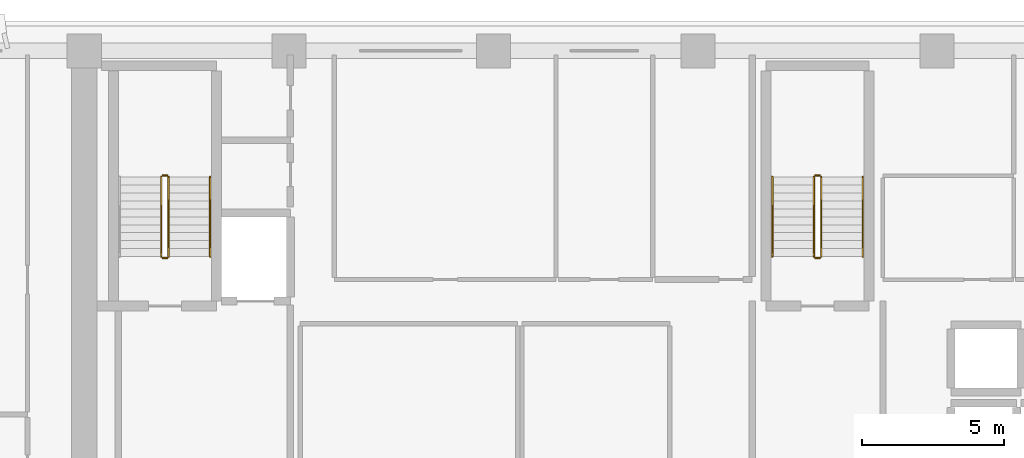
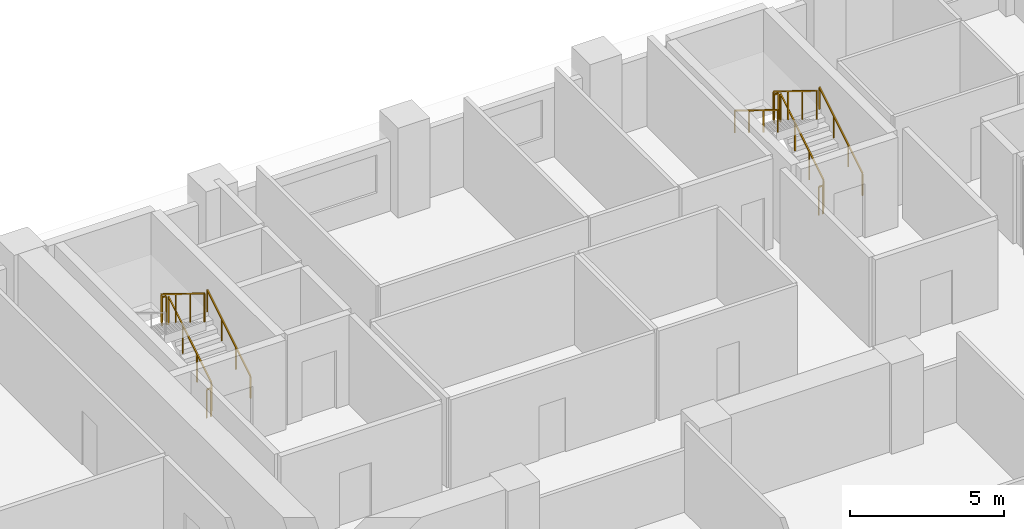
# One storey, part 12 of 14: 11 railings.
"""IFC4 building model written with IfcOpenShell, lengths in metres."""

from ifc_helpers import new_model, si_unit, direction, frame, origin, origin_2d, place, context, subcontext, project, spatial, rectangle, extrude, material, type_object, element, save


model = new_model("IFC4")

# Units and contexts
model_context = context("Model", 3, precision=1e-05, world=origin(), true_north=direction((0.0, 1.0)))
body_context = subcontext(model_context, "Body", "Model", "MODEL_VIEW")
ifc_project = project(units=[si_unit("LENGTHUNIT", "METRE"), si_unit("AREAUNIT", "SQUARE_METRE"), si_unit("VOLUMEUNIT", "CUBIC_METRE"), si_unit("PLANEANGLEUNIT", "RADIAN"), si_unit("MASSUNIT", "GRAM", prefix="KILO")], contexts=[model_context])

# Site, building, storey
site_placement = place(None, origin())
site = spatial("IfcSite", under=ifc_project, at=site_placement, CompositionType="ELEMENT")
building_placement = place(site_placement, origin())
building = spatial("IfcBuilding", under=site, at=building_placement, Name="Kaelvorn Grand Hotel", CompositionType="ELEMENT")
storey_placement = place(building_placement, frame((0.0, 0.0, 165.75)))
storey = spatial("IfcBuildingStorey", under=building, at=storey_placement, Name="L40", CompositionType="ELEMENT", Elevation=165.75)

# Railings
ifc_material = material(Name="Stainless Steel", Category="steel")
railing_type_1 = type_object("IfcRailingType", Name="RL-HANDRAIL-900", PredefinedType="HANDRAIL", material=ifc_material)
for number, where, name in (
    (1, (20.6298828125, 41.760009765625, 0.172607421875), "L40 ST1 stair handrail 1"),
    (2, (43.590087890625, 41.760009765625, 0.172607421875), "L40 ST2 stair handrail 1"),
):
    element("IfcRailing", number, at=place(storey_placement, frame(where)), inside=storey, type_object=railing_type_1, Name=name, PredefinedType="HANDRAIL", context=body_context, shape_type="SweptSolid", body=[
        extrude(rectangle(XDim=0.048095703125, YDim=0.048095703125, at=origin_2d()), frame((0.0, 0.0, 0.8759765625), z_axis=(0.0, 0.851089632645, 0.525020415988), x_axis=(-1.0, 0.0, 0.0)), (0.0, 0.0, 1.0), 3.2900390625),
        extrude(rectangle(XDim=0.0419921875, YDim=0.0419921875, at=origin_2d()), origin(), (0.0, 0.0, 1.0), 0.851806640625),
        extrude(rectangle(XDim=0.0419921875, YDim=0.0419921875, at=origin_2d()), frame((0.0, 0.933349609375, 0.57568359375)), (0.0, 0.0, 1.0), 0.851806640625),
        extrude(rectangle(XDim=0.0419921875, YDim=0.0419921875, at=origin_2d()), frame((0.0, 1.86669921875, 1.151611328125)), (0.0, 0.0, 1.0), 0.851806640625),
        extrude(rectangle(XDim=0.0419921875, YDim=0.0419921875, at=origin_2d()), frame((0.0, 2.800048828125, 1.727294921875)), (0.0, 0.0, 1.0), 0.851806640625),
    ])
railing_1_placement = place(storey_placement, frame((40.409912109375, 44.56005859375, 2.07275390625)))
element("IfcRailing", 3, at=railing_1_placement, inside=storey, type_object=railing_type_1, Name="L40 ST2 stair handrail 2", PredefinedType="HANDRAIL", context=body_context, shape_type="SweptSolid", body=[
    extrude(rectangle(XDim=0.048095703125, YDim=0.048095703125, at=origin_2d()), frame((0.0, 0.0, 0.8759765625), z_axis=(0.0, -0.851089632645, 0.525020415988), x_axis=(1.0, 0.0, 0.0)), (0.0, 0.0, 1.0), 3.2900390625),
    extrude(rectangle(XDim=0.0419921875, YDim=0.0419921875, at=origin_2d()), origin(), (0.0, 0.0, 1.0), 0.851806640625),
    extrude(rectangle(XDim=0.0419921875, YDim=0.0419921875, at=origin_2d()), frame((0.0, -0.933349609375, 0.57568359375)), (0.0, 0.0, 1.0), 0.851806640625),
    extrude(rectangle(XDim=0.0419921875, YDim=0.0419921875, at=origin_2d()), frame((0.0, -1.86669921875, 1.151611328125)), (0.0, 0.0, 1.0), 0.851806640625),
    extrude(rectangle(XDim=0.0419921875, YDim=0.0419921875, at=origin_2d()), frame((0.0, -2.800048828125, 1.727294921875)), (0.0, 0.0, 1.0), 0.851806640625),
])
railing_type_2 = type_object("IfcRailingType", Name="RL-STAIR-GUARD-1150", PredefinedType="BALUSTRADE", material=ifc_material)
railing_2_placement = place(storey_placement, frame((19.169921875, 41.760009765625, 0.172607421875)))
element("IfcRailing", 4, at=railing_2_placement, inside=storey, type_object=railing_type_2, Name="L40 ST1 stair guard 1", PredefinedType="BALUSTRADE", context=body_context, shape_type="SweptSolid", body=[
    extrude(rectangle(XDim=0.048095703125, YDim=0.048095703125, at=origin_2d()), frame((0.0, 0.0, 1.1259765625), z_axis=(0.0, 0.851089632645, 0.525020415988), x_axis=(-1.0, 0.0, 0.0)), (0.0, 0.0, 1.0), 3.2900390625),
    extrude(rectangle(XDim=0.0419921875, YDim=0.0419921875, at=origin_2d()), origin(), (0.0, 0.0, 1.0), 1.101806640625),
    extrude(rectangle(XDim=0.0419921875, YDim=0.0419921875, at=origin_2d()), frame((0.0, 0.933349609375, 0.57568359375)), (0.0, 0.0, 1.0), 1.101806640625),
    extrude(rectangle(XDim=0.0419921875, YDim=0.0419921875, at=origin_2d()), frame((0.0, 1.86669921875, 1.151611328125)), (0.0, 0.0, 1.0), 1.101806640625),
    extrude(rectangle(XDim=0.0419921875, YDim=0.0419921875, at=origin_2d()), frame((0.0, 2.800048828125, 1.727294921875)), (0.0, 0.0, 1.0), 1.101806640625),
])
railing_3_placement = place(storey_placement, frame((19.1201171875, 44.610107421875, 1.89990234375)))
element("IfcRailing", 5, at=railing_3_placement, inside=storey, type_object=railing_type_2, Name="L40 ST1 stair guard 2", PredefinedType="BALUSTRADE", context=body_context, shape_type="SweptSolid", body=[
    extrude(rectangle(XDim=0.048095703125, YDim=0.048095703125, at=origin_2d()), frame((0.0, 0.0, 1.1259765625), z_axis=(-1.0, 0.0, 0.0), x_axis=(0.0, -1.0, 0.0)), (0.0, 0.0, 1.0), 0.16015625),
    extrude(rectangle(XDim=0.0419921875, YDim=0.0419921875, at=origin_2d()), origin(), (0.0, 0.0, 1.0), 1.101806640625),
    extrude(rectangle(XDim=0.0419921875, YDim=0.0419921875, at=origin_2d()), frame((-0.16015625, 0.0, 0.0)), (0.0, 0.0, 1.0), 1.101806640625),
])
railing_4_placement = place(storey_placement, frame((18.909912109375, 44.56005859375, 2.07275390625)))
element("IfcRailing", 6, at=railing_4_placement, inside=storey, type_object=railing_type_2, Name="L40 ST1 stair guard 3", PredefinedType="BALUSTRADE", context=body_context, shape_type="SweptSolid", body=[
    extrude(rectangle(XDim=0.048095703125, YDim=0.048095703125, at=origin_2d()), frame((0.0, 0.0, 1.1259765625), z_axis=(0.0, -0.851089632645, 0.525020415988), x_axis=(1.0, 0.0, 0.0)), (0.0, 0.0, 1.0), 3.2900390625),
    extrude(rectangle(XDim=0.0419921875, YDim=0.0419921875, at=origin_2d()), origin(), (0.0, 0.0, 1.0), 1.101806640625),
    extrude(rectangle(XDim=0.0419921875, YDim=0.0419921875, at=origin_2d()), frame((0.0, -0.933349609375, 0.57568359375)), (0.0, 0.0, 1.0), 1.101806640625),
    extrude(rectangle(XDim=0.0419921875, YDim=0.0419921875, at=origin_2d()), frame((0.0, -1.86669921875, 1.151611328125)), (0.0, 0.0, 1.0), 1.101806640625),
    extrude(rectangle(XDim=0.0419921875, YDim=0.0419921875, at=origin_2d()), frame((0.0, -2.800048828125, 1.727294921875)), (0.0, 0.0, 1.0), 1.101806640625),
])
railing_5_placement = place(storey_placement, frame((19.1201171875, 41.7099609375, 0.0)))
element("IfcRailing", 7, at=railing_5_placement, inside=storey, type_object=railing_type_2, Name="L40 ST1 stair guard 4", PredefinedType="BALUSTRADE", context=body_context, shape_type="SweptSolid", body=[
    extrude(rectangle(XDim=0.048095703125, YDim=0.048095703125, at=origin_2d()), frame((0.0, 0.0, 1.1259765625), z_axis=(-1.0, 0.0, 0.0), x_axis=(0.0, -1.0, 0.0)), (0.0, 0.0, 1.0), 0.16015625),
    extrude(rectangle(XDim=0.0419921875, YDim=0.0419921875, at=origin_2d()), origin(), (0.0, 0.0, 1.0), 1.101806640625),
    extrude(rectangle(XDim=0.0419921875, YDim=0.0419921875, at=origin_2d()), frame((-0.16015625, 0.0, 0.0)), (0.0, 0.0, 1.0), 1.101806640625),
])
railing_6_placement = place(storey_placement, frame((42.1298828125, 41.760009765625, 0.172607421875)))
element("IfcRailing", 8, at=railing_6_placement, inside=storey, type_object=railing_type_2, Name="L40 ST2 stair guard 1", PredefinedType="BALUSTRADE", context=body_context, shape_type="SweptSolid", body=[
    extrude(rectangle(XDim=0.048095703125, YDim=0.048095703125, at=origin_2d()), frame((0.0, 0.0, 1.1259765625), z_axis=(0.0, 0.851089632645, 0.525020415988), x_axis=(-1.0, 0.0, 0.0)), (0.0, 0.0, 1.0), 3.2900390625),
    extrude(rectangle(XDim=0.0419921875, YDim=0.0419921875, at=origin_2d()), origin(), (0.0, 0.0, 1.0), 1.101806640625),
    extrude(rectangle(XDim=0.0419921875, YDim=0.0419921875, at=origin_2d()), frame((0.0, 0.933349609375, 0.57568359375)), (0.0, 0.0, 1.0), 1.101806640625),
    extrude(rectangle(XDim=0.0419921875, YDim=0.0419921875, at=origin_2d()), frame((0.0, 1.86669921875, 1.151611328125)), (0.0, 0.0, 1.0), 1.101806640625),
    extrude(rectangle(XDim=0.0419921875, YDim=0.0419921875, at=origin_2d()), frame((0.0, 2.800048828125, 1.727294921875)), (0.0, 0.0, 1.0), 1.101806640625),
])
railing_7_placement = place(storey_placement, frame((42.080078125, 44.610107421875, 1.89990234375)))
element("IfcRailing", 9, at=railing_7_placement, inside=storey, type_object=railing_type_2, Name="L40 ST2 stair guard 2", PredefinedType="BALUSTRADE", context=body_context, shape_type="SweptSolid", body=[
    extrude(rectangle(XDim=0.048095703125, YDim=0.048095703125, at=origin_2d()), frame((0.0, 0.0, 1.1259765625), z_axis=(-1.0, 0.0, 0.0), x_axis=(0.0, -1.0, 0.0)), (0.0, 0.0, 1.0), 0.16015625),
    extrude(rectangle(XDim=0.0419921875, YDim=0.0419921875, at=origin_2d()), origin(), (0.0, 0.0, 1.0), 1.101806640625),
    extrude(rectangle(XDim=0.0419921875, YDim=0.0419921875, at=origin_2d()), frame((-0.16015625, 0.0, 0.0)), (0.0, 0.0, 1.0), 1.101806640625),
])
railing_8_placement = place(storey_placement, frame((41.8701171875, 44.56005859375, 2.07275390625)))
element("IfcRailing", 10, at=railing_8_placement, inside=storey, type_object=railing_type_2, Name="L40 ST2 stair guard 3", PredefinedType="BALUSTRADE", context=body_context, shape_type="SweptSolid", body=[
    extrude(rectangle(XDim=0.048095703125, YDim=0.048095703125, at=origin_2d()), frame((0.0, 0.0, 1.1259765625), z_axis=(0.0, -0.851089632645, 0.525020415988), x_axis=(1.0, 0.0, 0.0)), (0.0, 0.0, 1.0), 3.2900390625),
    extrude(rectangle(XDim=0.0419921875, YDim=0.0419921875, at=origin_2d()), origin(), (0.0, 0.0, 1.0), 1.101806640625),
    extrude(rectangle(XDim=0.0419921875, YDim=0.0419921875, at=origin_2d()), frame((0.0, -0.933349609375, 0.57568359375)), (0.0, 0.0, 1.0), 1.101806640625),
    extrude(rectangle(XDim=0.0419921875, YDim=0.0419921875, at=origin_2d()), frame((0.0, -1.86669921875, 1.151611328125)), (0.0, 0.0, 1.0), 1.101806640625),
    extrude(rectangle(XDim=0.0419921875, YDim=0.0419921875, at=origin_2d()), frame((0.0, -2.800048828125, 1.727294921875)), (0.0, 0.0, 1.0), 1.101806640625),
])
railing_9_placement = place(storey_placement, frame((42.080078125, 41.7099609375, 0.0)))
element("IfcRailing", 11, at=railing_9_placement, inside=storey, type_object=railing_type_2, Name="L40 ST2 stair guard 4", PredefinedType="BALUSTRADE", context=body_context, shape_type="SweptSolid", body=[
    extrude(rectangle(XDim=0.048095703125, YDim=0.048095703125, at=origin_2d()), frame((0.0, 0.0, 1.1259765625), z_axis=(-1.0, 0.0, 0.0), x_axis=(0.0, -1.0, 0.0)), (0.0, 0.0, 1.0), 0.16015625),
    extrude(rectangle(XDim=0.0419921875, YDim=0.0419921875, at=origin_2d()), origin(), (0.0, 0.0, 1.0), 1.101806640625),
    extrude(rectangle(XDim=0.0419921875, YDim=0.0419921875, at=origin_2d()), frame((-0.16015625, 0.0, 0.0)), (0.0, 0.0, 1.0), 1.101806640625),
])

save(model, "model.ifc")
